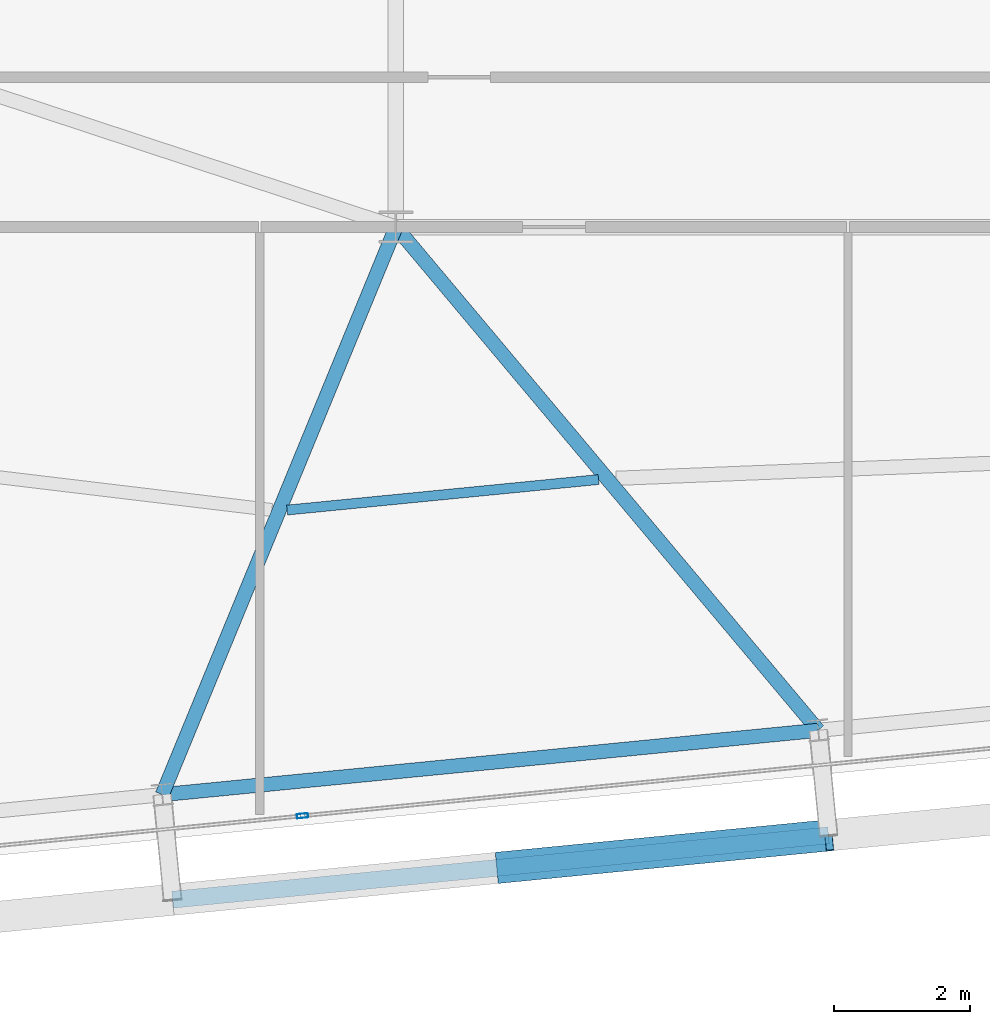
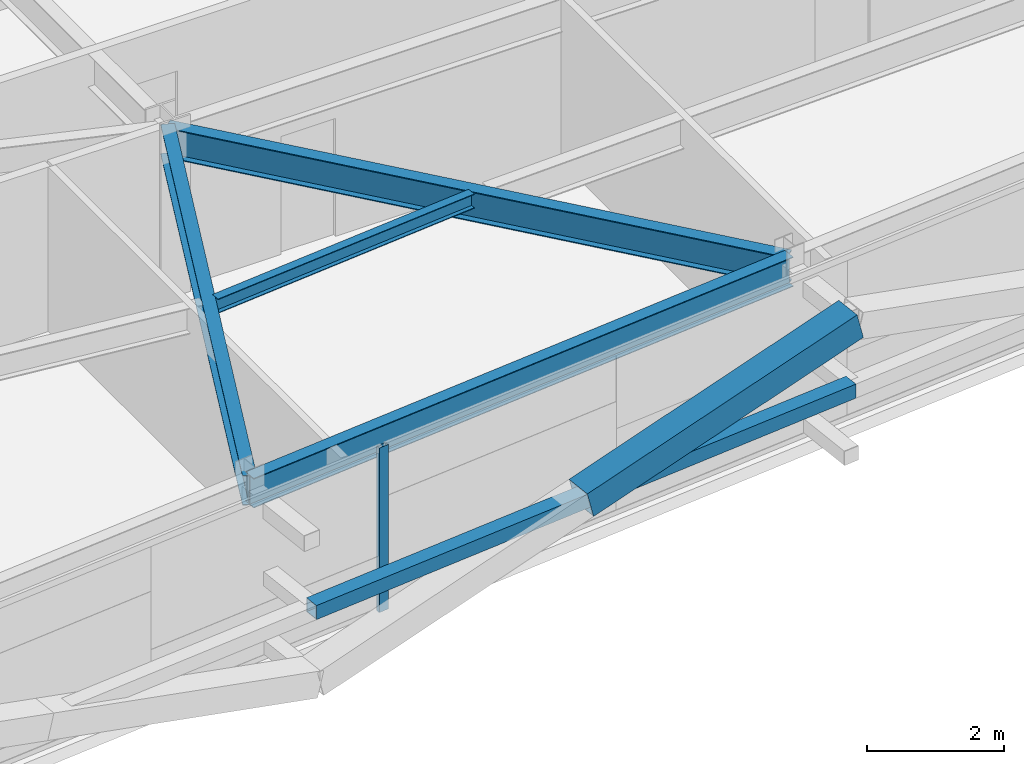
# One storey, part 9 of 47: 4 beams, 3 members, 1 element without a shape of its own.
"""IFC4 building model written with IfcOpenShell, lengths in metres."""

import ifcopenshell
import ifcopenshell.guid

model = None  # the IFC model being written
_history = None  # IfcOwnerHistory: only IFC2X3 demands one
_inside = {}  # id of a spatial element -> (the spatial element, [elements in it])
_under = {}  # id of a project, library or spatial element -> (it, [spatial elements below it])
_declared = {}  # id of a project -> (the project, [libraries it declares])
_typed = {}  # id of a type object -> (the type object, [elements of that type])
_made_of = {}  # id of a material, layer set ... -> (it, [elements and type objects made of it])


def new_model(schema):
    """Start an empty IFC model of exactly this schema.

    Asked for "IFC4X3", IfcOpenShell would pick the latest addendum, in which some entities
    have other attributes; the version numbers below select the first issue.
    IFC2X3 requires an IfcOwnerHistory on every rooted entity: one is made here for all.
    """
    global model, _history
    if schema == "IFC4X3":
        model = ifcopenshell.file(schema_version=(4, 3, 0, 0))
    else:
        model = ifcopenshell.file(schema=schema)
    _inside.clear()
    _under.clear()
    _declared.clear()
    _typed.clear()
    _made_of.clear()
    _history = None
    if model.schema == "IFC2X3":
        org = make("IfcOrganization", Name="unknown")
        user = make(
            "IfcPersonAndOrganization",
            ThePerson=make("IfcPerson", FamilyName="unknown"),
            TheOrganization=org,
        )
        app = make(
            "IfcApplication",
            ApplicationDeveloper=org,
            Version="unknown",
            ApplicationFullName="unknown",
            ApplicationIdentifier="unknown",
        )
        _history = make(
            "IfcOwnerHistory",
            OwningUser=user,
            OwningApplication=app,
            ChangeAction="ADDED",
            CreationDate=0,
        )
    return model


def make(cls, **values):
    """One entity of the class cls with the attributes given. An attribute that is None is left unset."""
    return model.create_entity(
        cls, **{name: value for name, value in values.items() if value is not None}
    )


def rooted(cls, **values):
    """An entity with a GlobalId (a new one), such as an element, a storey or a relation."""
    return make(cls, GlobalId=ifcopenshell.guid.new(), OwnerHistory=_history, **values)


def si_unit(unit_type, name, prefix=None):
    """IfcSIUnit, for example si_unit("LENGTHUNIT", "METRE", prefix="MILLI")."""
    return make("IfcSIUnit", UnitType=unit_type, Prefix=prefix, Name=name)


def assignment(units):
    """IfcUnitAssignment: the units of a project."""
    return None if units is None else make("IfcUnitAssignment", Units=units)


def point(xyz):
    """IfcCartesianPoint."""
    return None if xyz is None else make("IfcCartesianPoint", Coordinates=xyz)


def direction(xyz):
    """IfcDirection."""
    return None if xyz is None else make("IfcDirection", DirectionRatios=xyz)


def frame(location, z_axis=None, x_axis=None):
    """IfcAxis2Placement3D, a coordinate frame: its origin and axes. An axis left out is left unset."""
    return make(
        "IfcAxis2Placement3D",
        Location=point(location),
        Axis=direction(z_axis),
        RefDirection=direction(x_axis),
    )


def frame_2d(location, x_axis=None):
    """IfcAxis2Placement2D, a coordinate frame in the plane: its origin and x axis."""
    return make(
        "IfcAxis2Placement2D", Location=point(location), RefDirection=direction(x_axis)
    )


def origin():
    """The frame at (0, 0, 0) with its axes left unset."""
    return frame((0.0, 0.0, 0.0))


def origin_2d():
    """The frame at (0, 0) in the plane with its x axis left unset."""
    return frame_2d((0.0, 0.0))


def place(relative_to, where):
    """IfcLocalPlacement: puts the frame where relative to a parent placement (None: the world)."""
    return make(
        "IfcLocalPlacement", PlacementRelTo=relative_to, RelativePlacement=where
    )


def context(
    kind, dimensions, precision=None, world=None, true_north=None, identifier=None
):
    """IfcGeometricRepresentationContext, for example the 3D "Model" context."""
    return make(
        "IfcGeometricRepresentationContext",
        ContextIdentifier=identifier,
        ContextType=kind,
        CoordinateSpaceDimension=dimensions,
        Precision=precision,
        WorldCoordinateSystem=world,
        TrueNorth=true_north,
    )


def subcontext(parent, identifier, kind, view, scale=None):
    """IfcGeometricRepresentationSubContext, for example "Body" below "Model"."""
    return make(
        "IfcGeometricRepresentationSubContext",
        ContextIdentifier=identifier,
        ContextType=kind,
        ParentContext=parent,
        TargetScale=scale,
        TargetView=view,
    )


def project(units=None, contexts=None):
    """IfcProject with its units and contexts."""
    return rooted(
        "IfcProject",
        Name="project",
        RepresentationContexts=contexts,
        UnitsInContext=assignment(units),
    )


def spatial(cls, under=None, at=None, **own):
    """A site, building, storey or space (cls), placed at a placement, below another one or the project."""
    s = rooted(cls, ObjectPlacement=at, **own)
    if under is not None:
        _under.setdefault(under.id(), (under, []))[1].append(s)
    return s


def profile(cls, at=None, kind="AREA", **sizes):
    """A parametric profile (cls). Its sizes go by their IFC names, for example OverallWidth=200.0."""
    return make(cls, ProfileType=kind, Position=at, **sizes)


def hollow_rectangle(**sizes):
    """IfcRectangleHollowProfileDef."""
    return profile("IfcRectangleHollowProfileDef", **sizes)


def i_section(**sizes):
    """IfcIShapeProfileDef."""
    return profile("IfcIShapeProfileDef", **sizes)


def extrude(swept, where, along, depth):
    """IfcExtrudedAreaSolid: the profile swept, set in the frame where, extruded along a direction by depth."""
    return make(
        "IfcExtrudedAreaSolid",
        SweptArea=swept,
        Position=where,
        ExtrudedDirection=direction(along),
        Depth=depth,
    )


def shape(context_of_items, identifier, shape_type, items):
    """IfcShapeRepresentation: the items that make up one representation, for example the "Body"."""
    return make(
        "IfcShapeRepresentation",
        ContextOfItems=context_of_items,
        RepresentationIdentifier=identifier,
        RepresentationType=shape_type,
        Items=items,
    )


def source(mapping_origin, context_of_items, identifier, shape_type, items):
    """IfcRepresentationMap: a shape defined once, which mapped items show again and again."""
    return make(
        "IfcRepresentationMap",
        MappingOrigin=mapping_origin,
        MappedRepresentation=shape(context_of_items, identifier, shape_type, items),
    )


def transform(
    local_origin,
    x_axis=None,
    y_axis=None,
    z_axis=None,
    scale=None,
    scale2=None,
    scale3=None,
    uniform=True,
):
    """IfcCartesianTransformationOperator3D, or its non-uniform kind. x_axis, y_axis, z_axis: its Axis1, 2, 3."""
    if uniform:
        return make(
            "IfcCartesianTransformationOperator3D",
            Axis1=direction(x_axis),
            Axis2=direction(y_axis),
            LocalOrigin=point(local_origin),
            Scale=scale,
            Axis3=direction(z_axis),
        )
    return make(
        "IfcCartesianTransformationOperator3DnonUniform",
        Axis1=direction(x_axis),
        Axis2=direction(y_axis),
        LocalOrigin=point(local_origin),
        Scale=scale,
        Axis3=direction(z_axis),
        Scale2=scale2,
        Scale3=scale3,
    )


def mapped(mapping_source, mapping_target):
    """IfcMappedItem: shows the shape of a source again, moved by a transform."""
    return make(
        "IfcMappedItem", MappingSource=mapping_source, MappingTarget=mapping_target
    )


def material(Name=None, Category=None):
    """IfcMaterial."""
    return make("IfcMaterial", Name=Name, Category=Category)


def layer(
    of_material, thickness, ventilated=None, Name=None, Category=None, Priority=None
):
    """IfcMaterialLayer: one layer of a wall or slab, of a material (None: an air gap)."""
    return make(
        "IfcMaterialLayer",
        Material=of_material,
        LayerThickness=thickness,
        IsVentilated=ventilated,
        Name=Name,
        Category=Category,
        Priority=Priority,
    )


def layer_set(layers, Name=None):
    """IfcMaterialLayerSet."""
    return make("IfcMaterialLayerSet", MaterialLayers=layers, LayerSetName=Name)


def material_profile(
    of_material, cross_section, Name=None, Category=None, Priority=None
):
    """IfcMaterialProfile: a cross section and its material."""
    return make(
        "IfcMaterialProfile",
        Name=Name,
        Material=of_material,
        Profile=cross_section,
        Priority=Priority,
        Category=Category,
    )


def profile_set(profiles, Name=None, composite=None):
    """IfcMaterialProfileSet."""
    return make(
        "IfcMaterialProfileSet",
        Name=Name,
        MaterialProfiles=profiles,
        CompositeProfile=composite,
    )


def made_of(thing, what):
    """Note that an element or type object is made of a material, layer set ...; save() writes the relation."""
    if what is not None:
        _made_of.setdefault(what.id(), (what, []))[1].append(thing)
    return thing


def type_object(cls, material=None, **own):
    """A type object (cls), such as IfcWallType, which elements share."""
    return made_of(rooted(cls, **own), material)


def element(
    cls,
    number,
    at=None,
    inside=None,
    cuts=None,
    type_object=None,
    material=None,
    context=None,
    identifier="Body",
    shape_type=None,
    held_by="IfcProductDefinitionShape",
    body=None,
    shapes=None,
    **own,
):
    """One element of the class cls, such as IfcWall. Its Tag is "e" and its number.

    at: its placement. inside: the storey or other place that contains it. cuts: it is an
    opening in that element (IfcRelVoidsElement). A single representation is given by context,
    identifier, shape_type and body (its items); several are given by shapes. held_by: the class
    of the entity that holds the representations. save() writes the other relations.
    """
    e = rooted(cls, Tag="e%d" % number, ObjectPlacement=at, **own)
    if body is not None:
        shapes = [shape(context, identifier, shape_type, body)]
    if shapes is not None:
        e.Representation = make(held_by, Representations=shapes)
    if inside is not None:
        _inside.setdefault(inside.id(), (inside, []))[1].append(e)
    if cuts is not None:
        rooted(
            "IfcRelVoidsElement", RelatingBuildingElement=cuts, RelatedOpeningElement=e
        )
    if type_object is not None:
        _typed.setdefault(type_object.id(), (type_object, []))[1].append(e)
    return made_of(e, material)


def aggregate(whole, parts):
    """IfcRelAggregates: a whole, such as a stair, and the parts it consists of."""
    return rooted("IfcRelAggregates", RelatingObject=whole, RelatedObjects=parts)


def save(model, path):
    """Write the relations noted so far, then the file.

    IfcRelAggregates (storeys below a building ...), IfcRelContainedInSpatialStructure (elements
    in a storey), IfcRelDefinesByType, IfcRelAssociatesMaterial and IfcRelDeclares: one each for
    every whole, place, type object, material and project.
    """
    for whole, parts in _under.values():
        aggregate(whole, parts)
    for where, things in _inside.values():
        rooted(
            "IfcRelContainedInSpatialStructure",
            RelatedElements=things,
            RelatingStructure=where,
        )
    for kind, things in _typed.values():
        rooted("IfcRelDefinesByType", RelatedObjects=things, RelatingType=kind)
    for what, things in _made_of.values():
        rooted("IfcRelAssociatesMaterial", RelatedObjects=things, RelatingMaterial=what)
    for by, libraries in _declared.values():
        rooted("IfcRelDeclares", RelatingContext=by, RelatedDefinitions=libraries)
    model.write(path)


model = new_model("IFC4")

# Units and contexts
model_context = context("Model", 3, precision=1e-05, world=origin(), true_north=direction((0.0, 1.0)))
body_context = subcontext(model_context, "Body", "Model", "MODEL_VIEW")
ifc_project = project(units=[si_unit("LENGTHUNIT", "METRE"), si_unit("AREAUNIT", "SQUARE_METRE"), si_unit("VOLUMEUNIT", "CUBIC_METRE"), si_unit("PLANEANGLEUNIT", "RADIAN"), si_unit("MASSUNIT", "GRAM", prefix="KILO")], contexts=[model_context])

# Site, building, storey
site_placement = place(None, origin())
site = spatial("IfcSite", under=ifc_project, at=site_placement, CompositionType="ELEMENT")
building_placement = place(site_placement, origin())
building = spatial("IfcBuilding", under=site, at=building_placement, Name="Taldren Reach Tower", CompositionType="ELEMENT")
storey_placement = place(building_placement, frame((0.0, 0.0, 90.300048828125)))
storey = spatial("IfcBuildingStorey", under=building, at=storey_placement, Name="L27", CompositionType="ELEMENT", Elevation=90.300048828125)

# Beams
ifc_material_1 = material(Name="Steel Gr 350 (350PLUS)", Category="steel")
ifc_material_profile_1 = material_profile(ifc_material_1, i_section(OverallWidth=0.208984375, OverallDepth=0.528076171875, WebThickness=0.009521484375, FlangeThickness=0.01318359375, at=origin_2d()), Name="530UB82.0")
ifc_profile_set_1 = profile_set([ifc_material_profile_1], Name="Steel Gr 350 (350PLUS)")
beam_type_1 = type_object("IfcBeamType", Name="SP-UB530B", PredefinedType="SPANDREL", material=ifc_profile_set_1)
shared_shape_1 = source(origin(), body_context, "Body", "SweptSolid", [
    extrude(i_section(OverallWidth=0.208984375, OverallDepth=0.528076171875, WebThickness=0.009521484375, FlangeThickness=0.01318359375, at=origin_2d()), origin(), (0.0, 0.0, 1.0), 9.679931640625),
])
beam_1_placement = place(storey_placement, frame((24.56787109375, 0.86474609375, 2.666015625), z_axis=(0.995227612658, 0.097580730699, 0.0), x_axis=(-0.097580730699, 0.995227612658, 0.0)))
element("IfcBeam", 1, at=beam_1_placement, inside=storey, type_object=beam_type_1, Name="Perimeter spandrel B2 S2-S3 L27", PredefinedType="SPANDREL", context=body_context, shape_type="MappedRepresentation", body=[
    mapped(shared_shape_1, transform((0.0, 0.0, 0.0), scale=1.0)),
])
ifc_material_profile_2 = material_profile(ifc_material_1, i_section(OverallWidth=0.208984375, OverallDepth=0.532958984375, WebThickness=0.01025390625, FlangeThickness=0.015625, at=origin_2d()), Name="530UB92.4")
ifc_profile_set_2 = profile_set([ifc_material_profile_2], Name="Steel Gr 350 (350PLUS)")
beam_type_2 = type_object("IfcBeamType", Name="BM-UB530A", PredefinedType="BEAM", material=ifc_profile_set_2)
shared_shape_2 = source(origin(), body_context, "Body", "SweptSolid", [
    extrude(i_section(OverallWidth=0.208984375, OverallDepth=0.532958984375, WebThickness=0.01025390625, FlangeThickness=0.015625, at=origin_2d()), origin(), (0.0, 0.0, 1.0), 9.01416015625),
])
beam_2_placement = place(storey_placement, frame((28.0, 9.199951171875, 2.663330078125), z_axis=(-0.380748443035, -0.924678659387, 0.0), x_axis=(0.924678659387, -0.380748443035, 0.0)))
element("IfcBeam", 2, at=beam_2_placement, inside=storey, type_object=beam_type_2, Name="Primary floor girder B2-S2 L27", PredefinedType="BEAM", context=body_context, shape_type="MappedRepresentation", body=[
    mapped(shared_shape_2, transform((0.0, 0.0, 0.0), scale=1.0)),
])
shared_shape_3 = source(origin(), body_context, "Body", "SweptSolid", [
    extrude(i_section(OverallWidth=0.208984375, OverallDepth=0.532958984375, WebThickness=0.01025390625, FlangeThickness=0.015625, at=origin_2d()), origin(), (0.0, 0.0, 1.0), 9.64794921875),
])
beam_3_placement = place(storey_placement, frame((28.0, 9.199951171875, 2.663330078125), z_axis=(0.642799132398, -0.766034774268, 0.0), x_axis=(0.766034774268, 0.642799132398, 0.0)))
element("IfcBeam", 3, at=beam_3_placement, inside=storey, type_object=beam_type_2, Name="Primary floor girder B2-S3 L27", PredefinedType="BEAM", context=body_context, shape_type="MappedRepresentation", body=[
    mapped(shared_shape_3, transform((0.0, 0.0, 0.0), scale=1.0)),
])
ifc_material_2 = material(Name="Steel Gr 300 (300PLUS, 300 MPa)", Category="steel")
ifc_material_profile_3 = material_profile(ifc_material_2, i_section(OverallWidth=0.14599609375, OverallDepth=0.256103515625, WebThickness=0.00634765625, FlangeThickness=0.010986328125, at=origin_2d()), Name="250UB37.3")
ifc_profile_set_3 = profile_set([ifc_material_profile_3], Name="Steel Gr 300 (300PLUS, 300 MPa)")
beam_type_3 = type_object("IfcBeamType", Name="JS-UB250", PredefinedType="JOIST", material=ifc_profile_set_3)
shared_shape_4 = source(origin(), body_context, "Body", "SweptSolid", [
    extrude(i_section(OverallWidth=0.14599609375, OverallDepth=0.256103515625, WebThickness=0.00634765625, FlangeThickness=0.010986328125, at=origin_2d()), origin(), (0.0, 0.0, 1.0), 4.594970703125),
])
beam_4_placement = place(storey_placement, frame((26.40185546875, 5.0439453125, 2.802001953125), z_axis=(0.995230447096, 0.097551817888, 0.0), x_axis=(-0.097551817888, 0.995230447096, 0.0)))
element("IfcBeam", 4, at=beam_4_placement, inside=storey, type_object=beam_type_3, Name="Secondary floor joist B2 J2 L27", PredefinedType="JOIST", context=body_context, shape_type="MappedRepresentation", body=[
    mapped(shared_shape_4, transform((0.0, 0.0, 0.0), scale=1.0)),
])

# Members
ifc_material_3 = material(Name="Steel Gr 450 (C450L0)", Category="steel")
ifc_material_profile_4 = material_profile(ifc_material_3, hollow_rectangle(XDim=0.4599609375, YDim=0.4599609375, WallThickness=0.01611328125, at=origin_2d()), Name="460x460x16.0SHS")
ifc_profile_set_4 = profile_set([ifc_material_profile_4], Name="Steel Gr 450 (C450L0)")
member_type_1 = type_object("IfcMemberType", Name="MB-EXO457", PredefinedType="BRACE", material=ifc_profile_set_4)
shared_shape_5 = source(origin(), body_context, "Body", "SweptSolid", [
    extrude(hollow_rectangle(XDim=0.4599609375, YDim=0.4599609375, WallThickness=0.01611328125, at=origin_2d()), origin(), (0.0, 0.0, 1.0), 4.990234375),
])
member_1_placement = place(storey_placement, frame((29.5361328125, -0.20556640625, 1.43505859375), z_axis=(0.965287024526, 0.094620633828, 0.24344998652), x_axis=(-0.097555749586, 0.995230061706, 0.0)))
element("IfcMember", 5, at=member_1_placement, inside=storey, type_object=member_type_1, Name="Exoskeleton Diagrid Brace B2-S2 L27", PredefinedType="BRACE", context=body_context, shape_type="MappedRepresentation", body=[
    mapped(shared_shape_5, transform((0.0, 0.0, 0.0), scale=1.0)),
])
ifc_material_4 = material(Name="Steel Gr 350 (C350L0)", Category="steel")
ifc_material_profile_5 = material_profile(ifc_material_4, hollow_rectangle(XDim=0.25, YDim=0.25, WallThickness=0.010009765625, at=origin_2d()), Name="250x250x10.0SHS")
ifc_profile_set_5 = profile_set([ifc_material_profile_5], Name="Steel Gr 350 (C350L0)")
member_type_2 = type_object("IfcMemberType", Name="MB-POST250", PredefinedType="POST", material=ifc_profile_set_5)
shared_shape_6 = source(origin(), body_context, "Body", "SweptSolid", [
    extrude(hollow_rectangle(XDim=0.25, YDim=0.25, WallThickness=0.010009765625, at=origin_2d()), origin(), (0.0, 0.0, 1.0), 9.679931640625),
])
member_2_placement = place(storey_placement, frame((24.71923828125, -0.677978515625, 1.43505859375), z_axis=(0.995227612658, 0.097580730699, 0.0), x_axis=(-0.097580730699, 0.995227612658, 0.0)))
element("IfcMember", 6, at=member_2_placement, inside=storey, type_object=member_type_2, Name="Exoskeleton mid-height ring chord B2-S2 L27", PredefinedType="POST", context=body_context, shape_type="MappedRepresentation", body=[
    mapped(shared_shape_6, transform((0.0, 0.0, 0.0), scale=1.0)),
])

# Curtain wall, member
ifc_material_5 = material(Name="Aluminium and Low-E Glass Unitised System", Category="aluminium")
ifc_layer = layer(ifc_material_5, 0.159912109375)
ifc_layer_set = layer_set([ifc_layer], Name="Aluminium and Low-E Glass Unitised System")
curtain_wall_type = type_object("IfcCurtainWallType", Name="CW-SYS-3", PredefinedType="NOTDEFINED", material=ifc_layer_set)
curtain_wall_placement = place(storey_placement, origin())
curtain_wall = element("IfcCurtainWall", 7, at=curtain_wall_placement, inside=storey, type_object=curtain_wall_type, Name="Unitised curtain wall CW-L27-S", PredefinedType="NOTDEFINED")
ifc_material_6 = material(Name="Anodised Aluminium 6063-T6", Category="aluminium")
ifc_material_profile_6 = material_profile(ifc_material_6, hollow_rectangle(XDim=0.06494140625, YDim=0.1650390625, WallThickness=0.00390625, at=origin_2d()), Name="ALU-165x65x4RHS")
ifc_profile_set_6 = profile_set([ifc_material_profile_6], Name="Anodised Aluminium 6063-T6")
member_type_3 = type_object("IfcMemberType", Name="CW-MUL-165", PredefinedType="MULLION", material=ifc_profile_set_6)
shared_shape_7 = source(origin(), body_context, "Body", "SweptSolid", [
    extrude(hollow_rectangle(XDim=0.06494140625, YDim=0.1650390625, WallThickness=0.00390625, at=origin_2d()), origin(), (0.0, 0.0, 1.0), 2.929931640625),
])
member_3_placement = place(storey_placement, frame((26.628173828125, 0.55419921875, 0.0), z_axis=(0.0, 0.0, 1.0), x_axis=(-0.097582999046, 0.995227390247, 0.0)))
member_3 = element("IfcMember", 8, at=member_3_placement, type_object=member_type_3, Name="CW-3 mullion 2", PredefinedType="MULLION", context=body_context, shape_type="MappedRepresentation", body=[
    mapped(shared_shape_7, transform((0.0, 0.0, 0.0), scale=1.0)),
])
aggregate(curtain_wall, [member_3])

save(model, "model.ifc")
